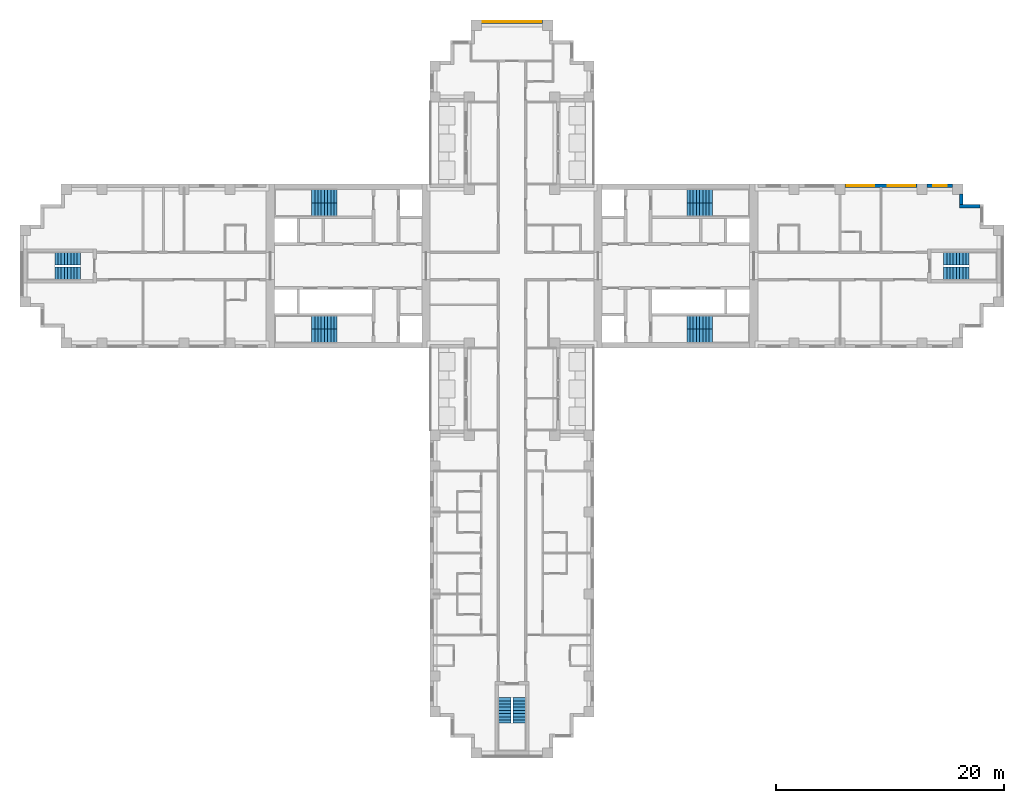
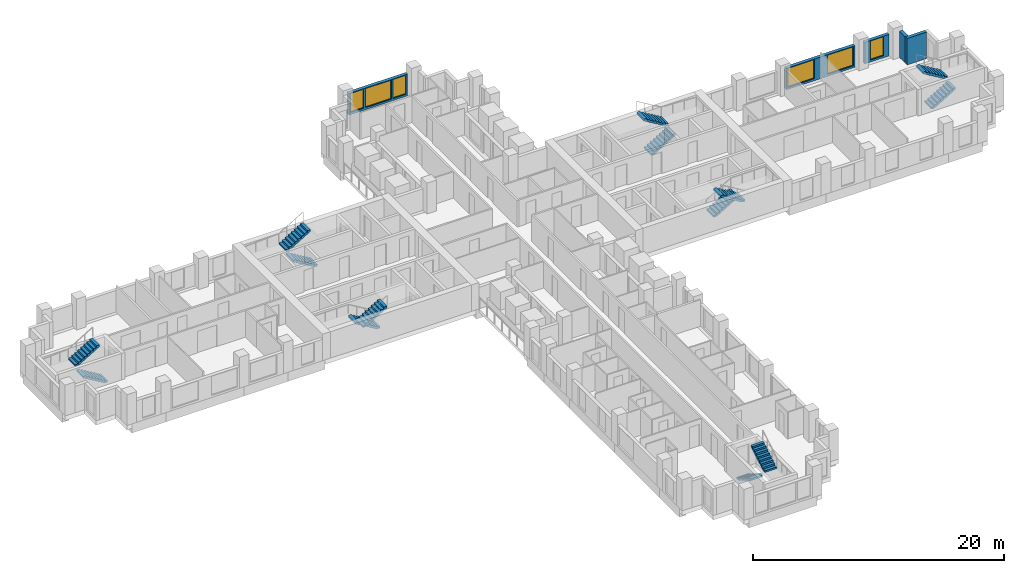
# One storey, part 11 of 13: 14 stair flights, 6 windows, 5 walls, 6 openings, 7 elements without a shape of their own.
"""IFC4 building model written with IfcOpenShell, lengths in metres."""

from ifc_helpers import new_model, si_unit, direction, frame, frame_2d, origin, place, context, subcontext, project, spatial, polyline, rectangle, outline, extrude, material, layer, layer_set, type_object, element, fill, aggregate, save


model = new_model("IFC4")

# Units and contexts
model_context = context("Model", 3, precision=1e-05, world=origin(), true_north=direction((0.0, 1.0)))
body_context = subcontext(model_context, "Body", "Model", "MODEL_VIEW")
ifc_project = project(units=[si_unit("LENGTHUNIT", "METRE"), si_unit("AREAUNIT", "SQUARE_METRE"), si_unit("VOLUMEUNIT", "CUBIC_METRE"), si_unit("PLANEANGLEUNIT", "RADIAN"), si_unit("MASSUNIT", "GRAM", prefix="KILO")], contexts=[model_context])

# Site, building, storey
site_placement = place(None, origin())
site = spatial("IfcSite", under=ifc_project, at=site_placement, CompositionType="ELEMENT")
building_placement = place(site_placement, origin())
building = spatial("IfcBuilding", under=site, at=building_placement, Name="Fustian Cross Tower", CompositionType="ELEMENT")
storey_placement = place(building_placement, frame((0.0, 0.0, 87.89990234375)))
storey = spatial("IfcBuildingStorey", under=building, at=storey_placement, Name="L27", CompositionType="ELEMENT", Elevation=87.89990234375)

# Walls
ifc_material_1 = material(Name="Dark aluminium cladding on insulated backing wall", Category="aluminium")
ifc_layer = layer(ifc_material_1, 0.300048828125)
ifc_layer_set = layer_set([ifc_layer], Name="Dark aluminium cladding on insulated backing wall")
wall_type = type_object("IfcWallType", Name="XW1 EXTERNAL WALL 300", PredefinedType="SOLIDWALL", material=ifc_layer_set)
wall_1_placement = place(storey_placement, frame((41.10009765625, 5.25, 0.0), z_axis=(0.0, 0.0, 1.0), x_axis=(-1.0, 0.0, 0.0)))
element("IfcWall", 1, at=wall_1_placement, inside=storey, type_object=wall_type, Name="External wall", PredefinedType="SOLIDWALL", context=body_context, shape_type="SweptSolid", body=[
    extrude(rectangle(XDim=1.800048828125, YDim=0.300048828125, at=frame_2d((0.89990234375, 0.0))), origin(), (0.0, 0.0, 1.0), 2.5751953125),
])
wall_2_placement = place(storey_placement, frame((39.449951171875, 5.39990234375, 0.0), z_axis=(0.0, 0.0, 1.0), x_axis=(0.0, 1.0, 0.0)))
element("IfcWall", 2, at=wall_2_placement, inside=storey, type_object=wall_type, Name="External wall", PredefinedType="SOLIDWALL", context=body_context, shape_type="SweptSolid", body=[
    extrude(rectangle(XDim=0.900146484375, YDim=0.300048828125, at=frame_2d((0.4501953125, 0.0))), origin(), (0.0, 0.0, 1.0), 2.5751953125),
])

# Wall, opening, window
wall_3_placement = place(storey_placement, frame((38.699951171875, 7.050048828125, 0.0), z_axis=(0.0, 0.0, 1.0), x_axis=(-1.0, 0.0, 0.0)))
wall_3 = element("IfcWall", 3, at=wall_3_placement, inside=storey, type_object=wall_type, Name="External wall", PredefinedType="SOLIDWALL", context=body_context, shape_type="SweptSolid", body=[
    extrude(rectangle(XDim=2.25, YDim=0.300048828125, at=frame_2d((1.125, 0.0))), origin(), (0.0, 0.0, 1.0), 2.10009765625),
])
opening_1_placement = place(wall_3_placement, frame((0.52490234375, 0.0, 0.199951171875)))
opening_1 = element("IfcOpeningElement", 4, at=opening_1_placement, cuts=wall_3, Name="Opening WN3", PredefinedType="OPENING", context=body_context, shape_type="SweptSolid", body=[
    extrude(rectangle(XDim=1.199951171875, YDim=1.85009765625, at=frame_2d((0.60009765625, 0.925048828125))), frame((0.0, 0.159912109375, 0.0), z_axis=(0.0, -1.0, 0.0), x_axis=(1.0, 0.0, 0.0)), (0.0, 0.0, 1.0), 0.320068359375),
])
ifc_material_2 = material(Name="Dark anodised aluminium and double glazing", Category="aluminium")
window_type_1 = type_object("IfcWindowType", Name="WN3 WINDOW 1200X1850", PartitioningType="SINGLE_PANEL", PredefinedType="WINDOW", material=ifc_material_2)
window_1_placement = place(opening_1_placement, origin())
window_1 = element("IfcWindow", 5, at=window_1_placement, inside=storey, type_object=window_type_1, Name="Window", OverallHeight=1.85009765625, OverallWidth=1.199951171875, PartitioningType="SINGLE_PANEL", PredefinedType="WINDOW", context=body_context, shape_type="SweptSolid", body=[
    extrude(rectangle(XDim=1.199951171875, YDim=1.85009765625, at=frame_2d((0.60009765625, 0.925048828125))), frame((0.0, 0.030029296875, 0.0), z_axis=(0.0, -1.0, 0.0), x_axis=(1.0, 0.0, 0.0)), (0.0, 0.0, 1.0), 0.06005859375),
])
fill(opening_1, window_1)

# Wall, openings, windows
wall_4_placement = place(storey_placement, frame((35.550048828125, 7.050048828125, 0.0), z_axis=(0.0, 0.0, 1.0), x_axis=(-1.0, 0.0, 0.0)))
wall_4 = element("IfcWall", 6, at=wall_4_placement, inside=storey, type_object=wall_type, Name="External wall", PredefinedType="SOLIDWALL", context=body_context, shape_type="SweptSolid", body=[
    extrude(rectangle(XDim=6.300048828125, YDim=0.300048828125, at=frame_2d((3.14990234375, 0.0))), origin(), (0.0, 0.0, 1.0), 2.10009765625),
])
opening_2_placement = place(wall_4_placement, frame((0.14990234375, 0.0, 0.199951171875)))
opening_2 = element("IfcOpeningElement", 7, at=opening_2_placement, cuts=wall_4, Name="Opening WN1", PredefinedType="OPENING", context=body_context, shape_type="SweptSolid", body=[
    extrude(rectangle(XDim=2.39990234375, YDim=1.85009765625, at=frame_2d((1.199951171875, 0.925048828125))), frame((0.0, 0.159912109375, 0.0), z_axis=(0.0, -1.0, 0.0), x_axis=(1.0, 0.0, 0.0)), (0.0, 0.0, 1.0), 0.320068359375),
])
opening_3_placement = place(wall_4_placement, frame((3.75, 0.0, 0.199951171875)))
opening_3 = element("IfcOpeningElement", 8, at=opening_3_placement, cuts=wall_4, Name="Opening WN1", PredefinedType="OPENING", context=body_context, shape_type="SweptSolid", body=[
    extrude(rectangle(XDim=2.39990234375, YDim=1.85009765625, at=frame_2d((1.199951171875, 0.925048828125))), frame((0.0, 0.159912109375, 0.0), z_axis=(0.0, -1.0, 0.0), x_axis=(1.0, 0.0, 0.0)), (0.0, 0.0, 1.0), 0.320068359375),
])
ifc_material_3 = material(Name="Dark anodised aluminium and double glazing", Category="aluminium")
window_type_2 = type_object("IfcWindowType", Name="WN1 WINDOW 2400X1850", PartitioningType="SINGLE_PANEL", PredefinedType="WINDOW", material=ifc_material_3)
window_2_placement = place(opening_2_placement, origin())
window_2 = element("IfcWindow", 9, at=window_2_placement, inside=storey, type_object=window_type_2, Name="Window", OverallHeight=1.85009765625, OverallWidth=2.39990234375, PartitioningType="SINGLE_PANEL", PredefinedType="WINDOW", context=body_context, shape_type="SweptSolid", body=[
    extrude(rectangle(XDim=2.39990234375, YDim=1.85009765625, at=frame_2d((1.199951171875, 0.925048828125))), frame((0.0, 0.030029296875, 0.0), z_axis=(0.0, -1.0, 0.0), x_axis=(1.0, 0.0, 0.0)), (0.0, 0.0, 1.0), 0.06005859375),
])
fill(opening_2, window_2)
window_3_placement = place(opening_3_placement, origin())
window_3 = element("IfcWindow", 10, at=window_3_placement, inside=storey, type_object=window_type_2, Name="Window", OverallHeight=1.85009765625, OverallWidth=2.39990234375, PartitioningType="SINGLE_PANEL", PredefinedType="WINDOW", context=body_context, shape_type="SweptSolid", body=[
    extrude(rectangle(XDim=2.39990234375, YDim=1.85009765625, at=frame_2d((1.199951171875, 0.925048828125))), frame((0.0, 0.030029296875, 0.0), z_axis=(0.0, -1.0, 0.0), x_axis=(1.0, 0.0, 0.0)), (0.0, 0.0, 1.0), 0.06005859375),
])
fill(opening_3, window_3)

wall_5_placement = place(storey_placement, frame((2.699951171875, 21.449951171875, 0.0), z_axis=(0.0, 0.0, 1.0), x_axis=(-1.0, 0.0, 0.0)))
wall_5 = element("IfcWall", 11, at=wall_5_placement, inside=storey, type_object=wall_type, Name="External wall", PredefinedType="SOLIDWALL", context=body_context, shape_type="SweptSolid", body=[
    extrude(rectangle(XDim=5.39990234375, YDim=0.300048828125, at=frame_2d((2.699951171875, 0.0))), origin(), (0.0, 0.0, 1.0), 2.10009765625),
])
opening_4_placement = place(wall_5_placement, frame((1.5, 0.0, 0.199951171875)))
opening_4 = element("IfcOpeningElement", 12, at=opening_4_placement, cuts=wall_5, Name="Opening WN1", PredefinedType="OPENING", context=body_context, shape_type="SweptSolid", body=[
    extrude(rectangle(XDim=2.39990234375, YDim=1.85009765625, at=frame_2d((1.199951171875, 0.925048828125))), frame((0.0, 0.159912109375, 0.0), z_axis=(0.0, -1.0, 0.0), x_axis=(1.0, 0.0, 0.0)), (0.0, 0.0, 1.0), 0.320068359375),
])
opening_5_placement = place(wall_5_placement, frame((0.14990234375, 0.0, 0.199951171875)))
opening_5 = element("IfcOpeningElement", 13, at=opening_5_placement, cuts=wall_5, Name="Opening WN3", PredefinedType="OPENING", context=body_context, shape_type="SweptSolid", body=[
    extrude(rectangle(XDim=1.199951171875, YDim=1.85009765625, at=frame_2d((0.60009765625, 0.925048828125))), frame((0.0, 0.159912109375, 0.0), z_axis=(0.0, -1.0, 0.0), x_axis=(1.0, 0.0, 0.0)), (0.0, 0.0, 1.0), 0.320068359375),
])
opening_6_placement = place(wall_5_placement, frame((4.050048828125, 0.0, 0.199951171875)))
opening_6 = element("IfcOpeningElement", 14, at=opening_6_placement, cuts=wall_5, Name="Opening WN3", PredefinedType="OPENING", context=body_context, shape_type="SweptSolid", body=[
    extrude(rectangle(XDim=1.199951171875, YDim=1.85009765625, at=frame_2d((0.60009765625, 0.925048828125))), frame((0.0, 0.159912109375, 0.0), z_axis=(0.0, -1.0, 0.0), x_axis=(1.0, 0.0, 0.0)), (0.0, 0.0, 1.0), 0.320068359375),
])
window_4_placement = place(opening_4_placement, origin())
window_4 = element("IfcWindow", 15, at=window_4_placement, inside=storey, type_object=window_type_2, Name="Window", OverallHeight=1.85009765625, OverallWidth=2.39990234375, PartitioningType="SINGLE_PANEL", PredefinedType="WINDOW", context=body_context, shape_type="SweptSolid", body=[
    extrude(rectangle(XDim=2.39990234375, YDim=1.85009765625, at=frame_2d((1.199951171875, 0.925048828125))), frame((0.0, 0.030029296875, 0.0), z_axis=(0.0, -1.0, 0.0), x_axis=(1.0, 0.0, 0.0)), (0.0, 0.0, 1.0), 0.06005859375),
])
fill(opening_4, window_4)
window_5_placement = place(opening_5_placement, origin())
window_5 = element("IfcWindow", 16, at=window_5_placement, inside=storey, type_object=window_type_1, Name="Window", OverallHeight=1.85009765625, OverallWidth=1.199951171875, PartitioningType="SINGLE_PANEL", PredefinedType="WINDOW", context=body_context, shape_type="SweptSolid", body=[
    extrude(rectangle(XDim=1.199951171875, YDim=1.85009765625, at=frame_2d((0.60009765625, 0.925048828125))), frame((0.0, 0.030029296875, 0.0), z_axis=(0.0, -1.0, 0.0), x_axis=(1.0, 0.0, 0.0)), (0.0, 0.0, 1.0), 0.06005859375),
])
fill(opening_5, window_5)
window_6_placement = place(opening_6_placement, origin())
window_6 = element("IfcWindow", 17, at=window_6_placement, inside=storey, type_object=window_type_1, Name="Window", OverallHeight=1.85009765625, OverallWidth=1.199951171875, PartitioningType="SINGLE_PANEL", PredefinedType="WINDOW", context=body_context, shape_type="SweptSolid", body=[
    extrude(rectangle(XDim=1.199951171875, YDim=1.85009765625, at=frame_2d((0.60009765625, 0.925048828125))), frame((0.0, 0.030029296875, 0.0), z_axis=(0.0, -1.0, 0.0), x_axis=(1.0, 0.0, 0.0)), (0.0, 0.0, 1.0), 0.06005859375),
])
fill(opening_6, window_6)

# Stair, stair flights
ifc_material_4 = material(Name="Concrete C50/60", Category="concrete")
stair_type_1 = type_object("IfcStairType", Name="STAIR 1100 HALF TURN", PredefinedType="HALF_TURN_STAIR", material=ifc_material_4)
stair_1_placement = place(storey_placement, origin())
stair_1 = element("IfcStair", 18, at=stair_1_placement, inside=storey, type_object=stair_type_1, Name="Stair ST6", PredefinedType="HALF_TURN_STAIR")
ifc_material_5 = material(Name="Concrete C50/60", Category="concrete")
stair_flight_type_1 = type_object("IfcStairFlightType", Name="STAIR FLIGHT 1100", PredefinedType="STRAIGHT", material=ifc_material_5)
stair_flight_1_placement = place(storey_placement, frame((-0.64990234375, -37.89990234375, 0.0), z_axis=(0.0, 0.0, 1.0), x_axis=(0.0, -1.0, 0.0)))
stair_flight_1 = element("IfcStairFlight", 19, at=stair_flight_1_placement, type_object=stair_flight_type_1, Name="ST6 flight 1", NumberOfRisers=9, NumberOfTreads=8, PredefinedType="STRAIGHT", RiserHeight=0.166666667, TreadLength=0.28, context=body_context, shape_type="SweptSolid", body=[
    extrude(outline(polyline([(0.0, 0.0), (0.0, 0.166748046875), (0.280029296875, 0.166748046875), (0.280029296875, 0.333251953125), (0.56005859375, 0.333251953125), (0.56005859375, 0.5), (0.840087890625, 0.5), (0.840087890625, 0.666748046875), (1.1201171875, 0.666748046875), (1.1201171875, 0.833251953125), (1.39990234375, 0.833251953125), (1.39990234375, 1.0), (1.679931640625, 1.0), (1.679931640625, 1.166748046875), (1.9599609375, 1.166748046875), (1.9599609375, 1.333251953125), (2.239990234375, 1.333251953125), (2.239990234375, 1.5), (2.239990234375, 1.158935546875), (0.29296875, 0.0), (0.0, 0.0)])), frame((0.0, 0.550048828125, 0.0), z_axis=(0.0, -1.0, 0.0), x_axis=(1.0, 0.0, 0.0)), (0.0, 0.0, 1.0), 1.10009765625),
])
stair_flight_2_placement = place(storey_placement, frame((0.64990234375, -40.139892578125, 1.5), z_axis=(0.0, 0.0, 1.0), x_axis=(0.0, 1.0, 0.0)))
stair_flight_2 = element("IfcStairFlight", 20, at=stair_flight_2_placement, type_object=stair_flight_type_1, Name="ST6 flight 2", NumberOfRisers=9, NumberOfTreads=8, PredefinedType="STRAIGHT", RiserHeight=0.166666667, TreadLength=0.28, context=body_context, shape_type="SweptSolid", body=[
    extrude(outline(polyline([(0.0, 0.0), (0.0, 0.166748046875), (0.280029296875, 0.166748046875), (0.280029296875, 0.333251953125), (0.56005859375, 0.333251953125), (0.56005859375, 0.5), (0.840087890625, 0.5), (0.840087890625, 0.666748046875), (1.1201171875, 0.666748046875), (1.1201171875, 0.833251953125), (1.39990234375, 0.833251953125), (1.39990234375, 1.0), (1.679931640625, 1.0), (1.679931640625, 1.166748046875), (1.9599609375, 1.166748046875), (1.9599609375, 1.333251953125), (2.239990234375, 1.333251953125), (2.239990234375, 1.5), (2.239990234375, 1.158935546875), (0.29296875, 0.0), (0.0, 0.0)])), frame((0.0, 0.550048828125, 0.0), z_axis=(0.0, -1.0, 0.0), x_axis=(1.0, 0.0, 0.0)), (0.0, 0.0, 1.0), 1.10009765625),
])
aggregate(stair_1, [stair_flight_1, stair_flight_2])

stair_2_placement = place(storey_placement, origin())
stair_2 = element("IfcStair", 21, at=stair_2_placement, inside=storey, type_object=stair_type_1, Name="Stair ST8", PredefinedType="HALF_TURN_STAIR")
stair_flight_3_placement = place(storey_placement, frame((37.89990234375, -0.64990234375, 0.0), z_axis=(0.0, 0.0, 1.0), x_axis=(1.0, 0.0, 0.0)))
stair_flight_3 = element("IfcStairFlight", 22, at=stair_flight_3_placement, type_object=stair_flight_type_1, Name="ST8 flight 1", NumberOfRisers=9, NumberOfTreads=8, PredefinedType="STRAIGHT", RiserHeight=0.166666667, TreadLength=0.28, context=body_context, shape_type="SweptSolid", body=[
    extrude(outline(polyline([(0.0, 0.0), (0.0, 0.166748046875), (0.280029296875, 0.166748046875), (0.280029296875, 0.333251953125), (0.56005859375, 0.333251953125), (0.56005859375, 0.5), (0.840087890625, 0.5), (0.840087890625, 0.666748046875), (1.1201171875, 0.666748046875), (1.1201171875, 0.833251953125), (1.39990234375, 0.833251953125), (1.39990234375, 1.0), (1.679931640625, 1.0), (1.679931640625, 1.166748046875), (1.9599609375, 1.166748046875), (1.9599609375, 1.333251953125), (2.239990234375, 1.333251953125), (2.239990234375, 1.5), (2.239990234375, 1.158935546875), (0.29296875, 0.0), (0.0, 0.0)])), frame((0.0, 0.550048828125, 0.0), z_axis=(0.0, -1.0, 0.0), x_axis=(1.0, 0.0, 0.0)), (0.0, 0.0, 1.0), 1.10009765625),
])
stair_flight_4_placement = place(storey_placement, frame((40.139892578125, 0.64990234375, 1.5), z_axis=(0.0, 0.0, 1.0), x_axis=(-1.0, 0.0, 0.0)))
stair_flight_4 = element("IfcStairFlight", 23, at=stair_flight_4_placement, type_object=stair_flight_type_1, Name="ST8 flight 2", NumberOfRisers=9, NumberOfTreads=8, PredefinedType="STRAIGHT", RiserHeight=0.166666667, TreadLength=0.28, context=body_context, shape_type="SweptSolid", body=[
    extrude(outline(polyline([(0.0, 0.0), (0.0, 0.166748046875), (0.280029296875, 0.166748046875), (0.280029296875, 0.333251953125), (0.56005859375, 0.333251953125), (0.56005859375, 0.5), (0.840087890625, 0.5), (0.840087890625, 0.666748046875), (1.1201171875, 0.666748046875), (1.1201171875, 0.833251953125), (1.39990234375, 0.833251953125), (1.39990234375, 1.0), (1.679931640625, 1.0), (1.679931640625, 1.166748046875), (1.9599609375, 1.166748046875), (1.9599609375, 1.333251953125), (2.239990234375, 1.333251953125), (2.239990234375, 1.5), (2.239990234375, 1.158935546875), (0.29296875, 0.0), (0.0, 0.0)])), frame((0.0, 0.550048828125, 0.0), z_axis=(0.0, -1.0, 0.0), x_axis=(1.0, 0.0, 0.0)), (0.0, 0.0, 1.0), 1.10009765625),
])
aggregate(stair_2, [stair_flight_3, stair_flight_4])

stair_3_placement = place(storey_placement, origin())
stair_3 = element("IfcStair", 24, at=stair_3_placement, inside=storey, type_object=stair_type_1, Name="Stair ST9", PredefinedType="HALF_TURN_STAIR")
stair_flight_5_placement = place(storey_placement, frame((-37.89990234375, -0.64990234375, 0.0), z_axis=(0.0, 0.0, 1.0), x_axis=(-1.0, 0.0, 0.0)))
stair_flight_5 = element("IfcStairFlight", 25, at=stair_flight_5_placement, type_object=stair_flight_type_1, Name="ST9 flight 1", NumberOfRisers=9, NumberOfTreads=8, PredefinedType="STRAIGHT", RiserHeight=0.166666667, TreadLength=0.28, context=body_context, shape_type="SweptSolid", body=[
    extrude(outline(polyline([(0.0, 0.0), (0.0, 0.166748046875), (0.280029296875, 0.166748046875), (0.280029296875, 0.333251953125), (0.56005859375, 0.333251953125), (0.56005859375, 0.5), (0.840087890625, 0.5), (0.840087890625, 0.666748046875), (1.1201171875, 0.666748046875), (1.1201171875, 0.833251953125), (1.39990234375, 0.833251953125), (1.39990234375, 1.0), (1.679931640625, 1.0), (1.679931640625, 1.166748046875), (1.9599609375, 1.166748046875), (1.9599609375, 1.333251953125), (2.239990234375, 1.333251953125), (2.239990234375, 1.5), (2.239990234375, 1.158935546875), (0.29296875, 0.0), (0.0, 0.0)])), frame((0.0, 0.550048828125, 0.0), z_axis=(0.0, -1.0, 0.0), x_axis=(1.0, 0.0, 0.0)), (0.0, 0.0, 1.0), 1.10009765625),
])
stair_flight_6_placement = place(storey_placement, frame((-40.139892578125, 0.64990234375, 1.5), z_axis=(0.0, 0.0, 1.0), x_axis=(1.0, 0.0, 0.0)))
stair_flight_6 = element("IfcStairFlight", 26, at=stair_flight_6_placement, type_object=stair_flight_type_1, Name="ST9 flight 2", NumberOfRisers=9, NumberOfTreads=8, PredefinedType="STRAIGHT", RiserHeight=0.166666667, TreadLength=0.28, context=body_context, shape_type="SweptSolid", body=[
    extrude(outline(polyline([(0.0, 0.0), (0.0, 0.166748046875), (0.280029296875, 0.166748046875), (0.280029296875, 0.333251953125), (0.56005859375, 0.333251953125), (0.56005859375, 0.5), (0.840087890625, 0.5), (0.840087890625, 0.666748046875), (1.1201171875, 0.666748046875), (1.1201171875, 0.833251953125), (1.39990234375, 0.833251953125), (1.39990234375, 1.0), (1.679931640625, 1.0), (1.679931640625, 1.166748046875), (1.9599609375, 1.166748046875), (1.9599609375, 1.333251953125), (2.239990234375, 1.333251953125), (2.239990234375, 1.5), (2.239990234375, 1.158935546875), (0.29296875, 0.0), (0.0, 0.0)])), frame((0.0, 0.550048828125, 0.0), z_axis=(0.0, -1.0, 0.0), x_axis=(1.0, 0.0, 0.0)), (0.0, 0.0, 1.0), 1.10009765625),
])
aggregate(stair_3, [stair_flight_5, stair_flight_6])

ifc_material_6 = material(Name="Concrete C50/60", Category="concrete")
stair_type_2 = type_object("IfcStairType", Name="STAIR 1150 HALF TURN", PredefinedType="HALF_TURN_STAIR", material=ifc_material_6)
stair_4_placement = place(storey_placement, origin())
stair_4 = element("IfcStair", 27, at=stair_4_placement, inside=storey, type_object=stair_type_2, Name="Stair ST1", PredefinedType="HALF_TURN_STAIR")
ifc_material_7 = material(Name="Concrete C50/60", Category="concrete")
stair_flight_type_2 = type_object("IfcStairFlightType", Name="STAIR FLIGHT 1150", PredefinedType="STRAIGHT", material=ifc_material_7)
stair_flight_7_placement = place(storey_placement, frame((15.35009765625, 4.97509765625, 0.0), z_axis=(0.0, 0.0, 1.0), x_axis=(1.0, 0.0, 0.0)))
stair_flight_7 = element("IfcStairFlight", 28, at=stair_flight_7_placement, type_object=stair_flight_type_2, Name="ST1 flight 1", NumberOfRisers=9, NumberOfTreads=8, PredefinedType="STRAIGHT", RiserHeight=0.166666667, TreadLength=0.28, context=body_context, shape_type="SweptSolid", body=[
    extrude(outline(polyline([(0.0, 0.0), (0.0, 0.166748046875), (0.280029296875, 0.166748046875), (0.280029296875, 0.333251953125), (0.56005859375, 0.333251953125), (0.56005859375, 0.5), (0.840087890625, 0.5), (0.840087890625, 0.666748046875), (1.1201171875, 0.666748046875), (1.1201171875, 0.833251953125), (1.39990234375, 0.833251953125), (1.39990234375, 1.0), (1.679931640625, 1.0), (1.679931640625, 1.166748046875), (1.9599609375, 1.166748046875), (1.9599609375, 1.333251953125), (2.239990234375, 1.333251953125), (2.239990234375, 1.5), (2.239990234375, 1.158935546875), (0.29296875, 0.0), (0.0, 0.0)])), frame((0.0, 0.574951171875, 0.0), z_axis=(0.0, -1.0, 0.0), x_axis=(1.0, 0.0, 0.0)), (0.0, 0.0, 1.0), 1.14990234375),
])
stair_flight_8_placement = place(storey_placement, frame((17.590087890625, 6.125, 1.5), z_axis=(0.0, 0.0, 1.0), x_axis=(-1.0, 0.0, 0.0)))
stair_flight_8 = element("IfcStairFlight", 29, at=stair_flight_8_placement, type_object=stair_flight_type_2, Name="ST1 flight 2", NumberOfRisers=9, NumberOfTreads=8, PredefinedType="STRAIGHT", RiserHeight=0.166666667, TreadLength=0.28, context=body_context, shape_type="SweptSolid", body=[
    extrude(outline(polyline([(0.0, 0.0), (0.0, 0.166748046875), (0.280029296875, 0.166748046875), (0.280029296875, 0.333251953125), (0.56005859375, 0.333251953125), (0.56005859375, 0.5), (0.840087890625, 0.5), (0.840087890625, 0.666748046875), (1.1201171875, 0.666748046875), (1.1201171875, 0.833251953125), (1.39990234375, 0.833251953125), (1.39990234375, 1.0), (1.679931640625, 1.0), (1.679931640625, 1.166748046875), (1.9599609375, 1.166748046875), (1.9599609375, 1.333251953125), (2.239990234375, 1.333251953125), (2.239990234375, 1.5), (2.239990234375, 1.158935546875), (0.29296875, 0.0), (0.0, 0.0)])), frame((0.0, 0.574951171875, 0.0), z_axis=(0.0, -1.0, 0.0), x_axis=(1.0, 0.0, 0.0)), (0.0, 0.0, 1.0), 1.14990234375),
])
aggregate(stair_4, [stair_flight_7, stair_flight_8])

stair_5_placement = place(storey_placement, origin())
stair_5 = element("IfcStair", 30, at=stair_5_placement, inside=storey, type_object=stair_type_2, Name="Stair ST2", PredefinedType="HALF_TURN_STAIR")
stair_flight_9_placement = place(storey_placement, frame((15.35009765625, -4.97509765625, 0.0), z_axis=(0.0, 0.0, 1.0), x_axis=(1.0, 0.0, 0.0)))
stair_flight_9 = element("IfcStairFlight", 31, at=stair_flight_9_placement, type_object=stair_flight_type_2, Name="ST2 flight 1", NumberOfRisers=9, NumberOfTreads=8, PredefinedType="STRAIGHT", RiserHeight=0.166666667, TreadLength=0.28, context=body_context, shape_type="SweptSolid", body=[
    extrude(outline(polyline([(0.0, 0.0), (0.0, 0.166748046875), (0.280029296875, 0.166748046875), (0.280029296875, 0.333251953125), (0.56005859375, 0.333251953125), (0.56005859375, 0.5), (0.840087890625, 0.5), (0.840087890625, 0.666748046875), (1.1201171875, 0.666748046875), (1.1201171875, 0.833251953125), (1.39990234375, 0.833251953125), (1.39990234375, 1.0), (1.679931640625, 1.0), (1.679931640625, 1.166748046875), (1.9599609375, 1.166748046875), (1.9599609375, 1.333251953125), (2.239990234375, 1.333251953125), (2.239990234375, 1.5), (2.239990234375, 1.158935546875), (0.29296875, 0.0), (0.0, 0.0)])), frame((0.0, 0.574951171875, 0.0), z_axis=(0.0, -1.0, 0.0), x_axis=(1.0, 0.0, 0.0)), (0.0, 0.0, 1.0), 1.14990234375),
])
stair_flight_10_placement = place(storey_placement, frame((17.590087890625, -6.125, 1.5), z_axis=(0.0, 0.0, 1.0), x_axis=(-1.0, 0.0, 0.0)))
stair_flight_10 = element("IfcStairFlight", 32, at=stair_flight_10_placement, type_object=stair_flight_type_2, Name="ST2 flight 2", NumberOfRisers=9, NumberOfTreads=8, PredefinedType="STRAIGHT", RiserHeight=0.166666667, TreadLength=0.28, context=body_context, shape_type="SweptSolid", body=[
    extrude(outline(polyline([(0.0, 0.0), (0.0, 0.166748046875), (0.280029296875, 0.166748046875), (0.280029296875, 0.333251953125), (0.56005859375, 0.333251953125), (0.56005859375, 0.5), (0.840087890625, 0.5), (0.840087890625, 0.666748046875), (1.1201171875, 0.666748046875), (1.1201171875, 0.833251953125), (1.39990234375, 0.833251953125), (1.39990234375, 1.0), (1.679931640625, 1.0), (1.679931640625, 1.166748046875), (1.9599609375, 1.166748046875), (1.9599609375, 1.333251953125), (2.239990234375, 1.333251953125), (2.239990234375, 1.5), (2.239990234375, 1.158935546875), (0.29296875, 0.0), (0.0, 0.0)])), frame((0.0, 0.574951171875, 0.0), z_axis=(0.0, -1.0, 0.0), x_axis=(1.0, 0.0, 0.0)), (0.0, 0.0, 1.0), 1.14990234375),
])
aggregate(stair_5, [stair_flight_9, stair_flight_10])

stair_6_placement = place(storey_placement, origin())
stair_6 = element("IfcStair", 33, at=stair_6_placement, inside=storey, type_object=stair_type_2, Name="Stair ST3", PredefinedType="HALF_TURN_STAIR")
stair_flight_11_placement = place(storey_placement, frame((-15.35009765625, 4.97509765625, 0.0), z_axis=(0.0, 0.0, 1.0), x_axis=(-1.0, 0.0, 0.0)))
stair_flight_11 = element("IfcStairFlight", 34, at=stair_flight_11_placement, type_object=stair_flight_type_2, Name="ST3 flight 1", NumberOfRisers=9, NumberOfTreads=8, PredefinedType="STRAIGHT", RiserHeight=0.166666667, TreadLength=0.28, context=body_context, shape_type="SweptSolid", body=[
    extrude(outline(polyline([(0.0, 0.0), (0.0, 0.166748046875), (0.280029296875, 0.166748046875), (0.280029296875, 0.333251953125), (0.56005859375, 0.333251953125), (0.56005859375, 0.5), (0.840087890625, 0.5), (0.840087890625, 0.666748046875), (1.1201171875, 0.666748046875), (1.1201171875, 0.833251953125), (1.39990234375, 0.833251953125), (1.39990234375, 1.0), (1.679931640625, 1.0), (1.679931640625, 1.166748046875), (1.9599609375, 1.166748046875), (1.9599609375, 1.333251953125), (2.239990234375, 1.333251953125), (2.239990234375, 1.5), (2.239990234375, 1.158935546875), (0.29296875, 0.0), (0.0, 0.0)])), frame((0.0, 0.574951171875, 0.0), z_axis=(0.0, -1.0, 0.0), x_axis=(1.0, 0.0, 0.0)), (0.0, 0.0, 1.0), 1.14990234375),
])
stair_flight_12_placement = place(storey_placement, frame((-17.590087890625, 6.125, 1.5), z_axis=(0.0, 0.0, 1.0), x_axis=(1.0, 0.0, 0.0)))
stair_flight_12 = element("IfcStairFlight", 35, at=stair_flight_12_placement, type_object=stair_flight_type_2, Name="ST3 flight 2", NumberOfRisers=9, NumberOfTreads=8, PredefinedType="STRAIGHT", RiserHeight=0.166666667, TreadLength=0.28, context=body_context, shape_type="SweptSolid", body=[
    extrude(outline(polyline([(0.0, 0.0), (0.0, 0.166748046875), (0.280029296875, 0.166748046875), (0.280029296875, 0.333251953125), (0.56005859375, 0.333251953125), (0.56005859375, 0.5), (0.840087890625, 0.5), (0.840087890625, 0.666748046875), (1.1201171875, 0.666748046875), (1.1201171875, 0.833251953125), (1.39990234375, 0.833251953125), (1.39990234375, 1.0), (1.679931640625, 1.0), (1.679931640625, 1.166748046875), (1.9599609375, 1.166748046875), (1.9599609375, 1.333251953125), (2.239990234375, 1.333251953125), (2.239990234375, 1.5), (2.239990234375, 1.158935546875), (0.29296875, 0.0), (0.0, 0.0)])), frame((0.0, 0.574951171875, 0.0), z_axis=(0.0, -1.0, 0.0), x_axis=(1.0, 0.0, 0.0)), (0.0, 0.0, 1.0), 1.14990234375),
])
aggregate(stair_6, [stair_flight_11, stair_flight_12])

stair_7_placement = place(storey_placement, origin())
stair_7 = element("IfcStair", 36, at=stair_7_placement, inside=storey, type_object=stair_type_2, Name="Stair ST4", PredefinedType="HALF_TURN_STAIR")
stair_flight_13_placement = place(storey_placement, frame((-15.35009765625, -4.97509765625, 0.0), z_axis=(0.0, 0.0, 1.0), x_axis=(-1.0, 0.0, 0.0)))
stair_flight_13 = element("IfcStairFlight", 37, at=stair_flight_13_placement, type_object=stair_flight_type_2, Name="ST4 flight 1", NumberOfRisers=9, NumberOfTreads=8, PredefinedType="STRAIGHT", RiserHeight=0.166666667, TreadLength=0.28, context=body_context, shape_type="SweptSolid", body=[
    extrude(outline(polyline([(0.0, 0.0), (0.0, 0.166748046875), (0.280029296875, 0.166748046875), (0.280029296875, 0.333251953125), (0.56005859375, 0.333251953125), (0.56005859375, 0.5), (0.840087890625, 0.5), (0.840087890625, 0.666748046875), (1.1201171875, 0.666748046875), (1.1201171875, 0.833251953125), (1.39990234375, 0.833251953125), (1.39990234375, 1.0), (1.679931640625, 1.0), (1.679931640625, 1.166748046875), (1.9599609375, 1.166748046875), (1.9599609375, 1.333251953125), (2.239990234375, 1.333251953125), (2.239990234375, 1.5), (2.239990234375, 1.158935546875), (0.29296875, 0.0), (0.0, 0.0)])), frame((0.0, 0.574951171875, 0.0), z_axis=(0.0, -1.0, 0.0), x_axis=(1.0, 0.0, 0.0)), (0.0, 0.0, 1.0), 1.14990234375),
])
stair_flight_14_placement = place(storey_placement, frame((-17.590087890625, -6.125, 1.5), z_axis=(0.0, 0.0, 1.0), x_axis=(1.0, 0.0, 0.0)))
stair_flight_14 = element("IfcStairFlight", 38, at=stair_flight_14_placement, type_object=stair_flight_type_2, Name="ST4 flight 2", NumberOfRisers=9, NumberOfTreads=8, PredefinedType="STRAIGHT", RiserHeight=0.166666667, TreadLength=0.28, context=body_context, shape_type="SweptSolid", body=[
    extrude(outline(polyline([(0.0, 0.0), (0.0, 0.166748046875), (0.280029296875, 0.166748046875), (0.280029296875, 0.333251953125), (0.56005859375, 0.333251953125), (0.56005859375, 0.5), (0.840087890625, 0.5), (0.840087890625, 0.666748046875), (1.1201171875, 0.666748046875), (1.1201171875, 0.833251953125), (1.39990234375, 0.833251953125), (1.39990234375, 1.0), (1.679931640625, 1.0), (1.679931640625, 1.166748046875), (1.9599609375, 1.166748046875), (1.9599609375, 1.333251953125), (2.239990234375, 1.333251953125), (2.239990234375, 1.5), (2.239990234375, 1.158935546875), (0.29296875, 0.0), (0.0, 0.0)])), frame((0.0, 0.574951171875, 0.0), z_axis=(0.0, -1.0, 0.0), x_axis=(1.0, 0.0, 0.0)), (0.0, 0.0, 1.0), 1.14990234375),
])
aggregate(stair_7, [stair_flight_13, stair_flight_14])

save(model, "model.ifc")
